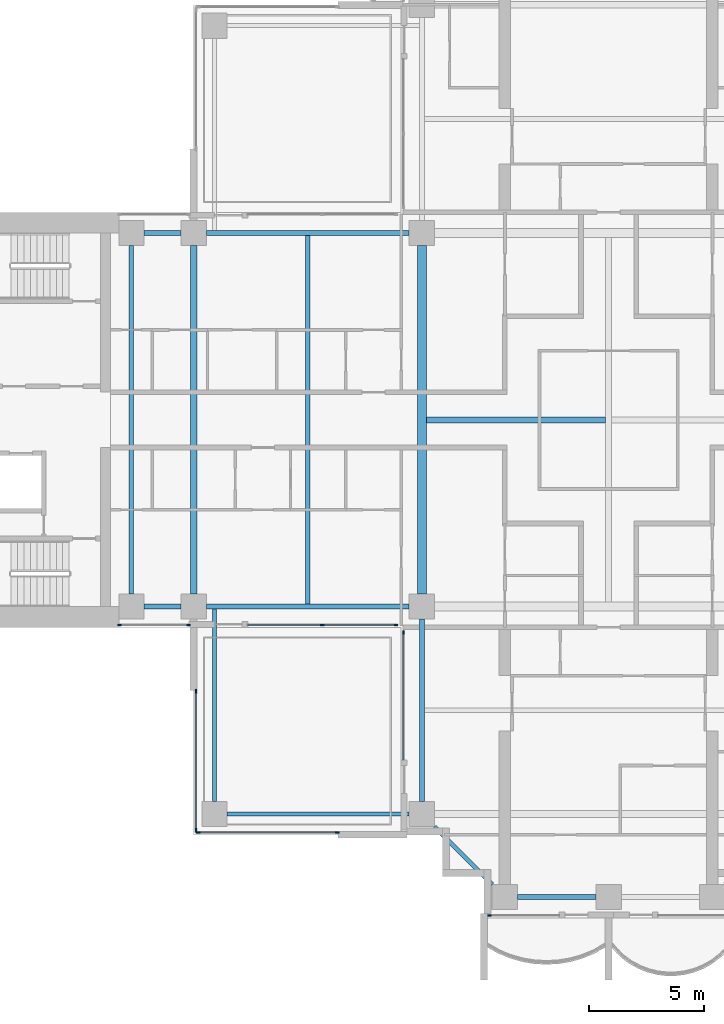
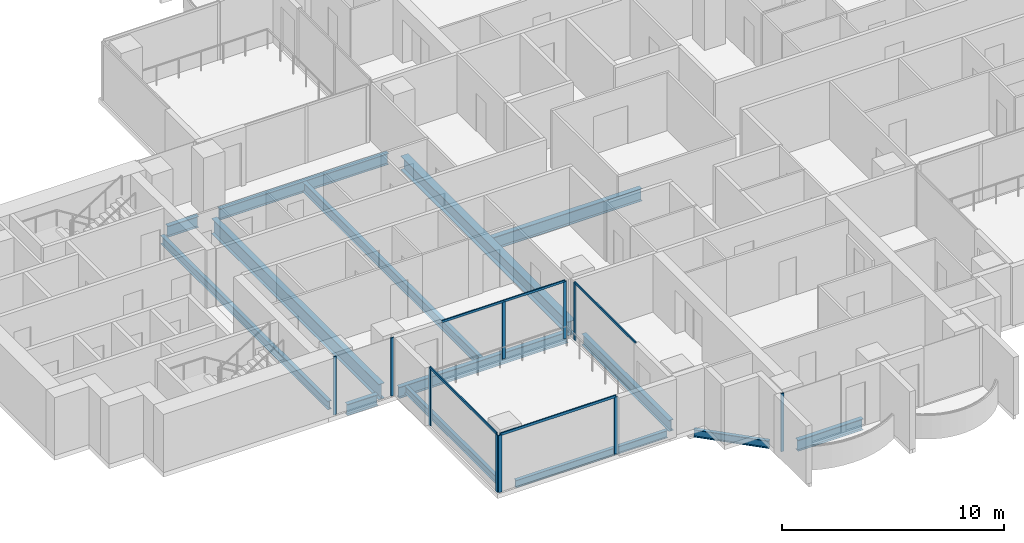
# One storey, part 2 of 19: 14 beams, 14 members, 6 elements without a shape of their own.
"""IFC4 building model written with IfcOpenShell, lengths in metres."""

from ifc_helpers import new_model, si_unit, direction, frame, origin, origin_2d, place, context, subcontext, project, spatial, rectangle, i_section, extrude, material, material_profile, profile_set, type_object, element, aggregate, save


model = new_model("IFC4")

# Units and contexts
model_context = context("Model", 3, precision=1e-05, world=origin(), true_north=direction((0.0, 1.0)))
body_context = subcontext(model_context, "Body", "Model", "MODEL_VIEW")
ifc_project = project(units=[si_unit("LENGTHUNIT", "METRE"), si_unit("AREAUNIT", "SQUARE_METRE"), si_unit("VOLUMEUNIT", "CUBIC_METRE"), si_unit("PLANEANGLEUNIT", "RADIAN"), si_unit("MASSUNIT", "GRAM", prefix="KILO")], contexts=[model_context])

# Site, building, storey
site_placement = place(None, origin())
site = spatial("IfcSite", under=ifc_project, at=site_placement, CompositionType="ELEMENT")
building_placement = place(site_placement, origin())
building = spatial("IfcBuilding", under=site, at=building_placement, Name="Perihelion Cross Residences", CompositionType="ELEMENT")
storey_placement = place(building_placement, frame((0.0, 0.0, 151.39990234375)))
storey = spatial("IfcBuildingStorey", under=building, at=storey_placement, Name="L37", CompositionType="ELEMENT", Elevation=151.39990234375)

# Curtain wall, members
ifc_material_1 = material(Name="Bronze anodised aluminium, tinted glazing", Category="aluminium")
curtain_wall_type_1 = type_object("IfcCurtainWallType", Name="CW1", PredefinedType="NOTDEFINED", material=ifc_material_1)
curtain_wall_1_placement = place(storey_placement, origin())
curtain_wall_1 = element("IfcCurtainWall", 1, at=curtain_wall_1_placement, inside=storey, type_object=curtain_wall_type_1, Name="Curtain wall CW1 L37 west side south bay 1", PredefinedType="NOTDEFINED")
ifc_material_2 = material(Name="Bronze anodised aluminium", Category="aluminium")
ifc_material_profile_1 = material_profile(ifc_material_2, rectangle(XDim=0.06005859375, YDim=0.159912109375, at=origin_2d()), Name="CW1 mullion")
ifc_profile_set_1 = profile_set([ifc_material_profile_1], Name="Bronze anodised aluminium")
member_type_1 = type_object("IfcMemberType", Name="CW1 mullion", PredefinedType="MULLION", material=ifc_profile_set_1)
member_1_placement = place(storey_placement, frame((-21.219970703125, -8.89990234375, 0.0), z_axis=(0.0, 0.0, 1.0), x_axis=(0.0, 1.0, 0.0)))
member_1 = element("IfcMember", 2, at=member_1_placement, type_object=member_type_1, Name="CW1 mullion 1", PredefinedType="MULLION", context=body_context, shape_type="SweptSolid", body=[
    extrude(rectangle(XDim=0.06005859375, YDim=0.159912109375, at=origin_2d()), origin(), (0.0, 0.0, 1.0), 3.2001953125),
])
member_2_placement = place(storey_placement, frame((-18.22998046875, -8.89990234375, 0.0), z_axis=(0.0, 0.0, 1.0), x_axis=(0.0, 1.0, 0.0)))
member_2 = element("IfcMember", 3, at=member_2_placement, type_object=member_type_1, Name="CW1 mullion 2", PredefinedType="MULLION", context=body_context, shape_type="SweptSolid", body=[
    extrude(rectangle(XDim=0.06005859375, YDim=0.159912109375, at=origin_2d()), origin(), (0.0, 0.0, 1.0), 3.2001953125),
])
aggregate(curtain_wall_1, [member_1, member_2])

curtain_wall_2_placement = place(storey_placement, origin())
curtain_wall_2 = element("IfcCurtainWall", 4, at=curtain_wall_2_placement, inside=storey, type_object=curtain_wall_type_1, Name="Curtain wall CW1 L37 west side south bay 2", PredefinedType="NOTDEFINED")
member_3_placement = place(storey_placement, frame((-12.425048828125, -8.89990234375, 0.0), z_axis=(0.0, 0.0, 1.0), x_axis=(0.0, 1.0, 0.0)))
member_3 = element("IfcMember", 5, at=member_3_placement, type_object=member_type_1, Name="CW1 mullion 2", PredefinedType="MULLION", context=body_context, shape_type="SweptSolid", body=[
    extrude(rectangle(XDim=0.06005859375, YDim=0.159912109375, at=origin_2d()), origin(), (0.0, 0.0, 1.0), 3.14013671875),
])
member_4_placement = place(storey_placement, frame((-9.22998046875, -8.89990234375, 0.0), z_axis=(0.0, 0.0, 1.0), x_axis=(0.0, 1.0, 0.0)))
member_4 = element("IfcMember", 6, at=member_4_placement, type_object=member_type_1, Name="CW1 mullion 3", PredefinedType="MULLION", context=body_context, shape_type="SweptSolid", body=[
    extrude(rectangle(XDim=0.06005859375, YDim=0.159912109375, at=origin_2d()), origin(), (0.0, 0.0, 1.0), 3.14013671875),
])

# Curtain wall, member
curtain_wall_3_placement = place(storey_placement, origin())
curtain_wall_3 = element("IfcCurtainWall", 7, at=curtain_wall_3_placement, inside=storey, type_object=curtain_wall_type_1, Name="Curtain wall CW1 L37 south side west bay 1", PredefinedType="NOTDEFINED")
member_5_placement = place(storey_placement, frame((-8.89990234375, -9.22998046875, 0.0), z_axis=(0.0, 0.0, 1.0), x_axis=(1.0, 0.0, 0.0)))
member_5 = element("IfcMember", 8, at=member_5_placement, type_object=member_type_1, Name="CW1 mullion 1", PredefinedType="MULLION", context=body_context, shape_type="SweptSolid", body=[
    extrude(rectangle(XDim=0.06005859375, YDim=0.159912109375, at=origin_2d()), origin(), (0.0, 0.0, 1.0), 3.14013671875),
])

curtain_wall_4_placement = place(storey_placement, origin())
curtain_wall_4 = element("IfcCurtainWall", 9, at=curtain_wall_4_placement, inside=storey, type_object=curtain_wall_type_1, Name="Curtain wall CW1 L37 south tip south bay 1", PredefinedType="NOTDEFINED")
member_6_placement = place(storey_placement, frame((-5.169921875, -21.5, 0.0), z_axis=(0.0, 0.0, 1.0), x_axis=(0.0, 1.0, 0.0)))
member_6 = element("IfcMember", 10, at=member_6_placement, type_object=member_type_1, Name="CW1 mullion 1", PredefinedType="MULLION", context=body_context, shape_type="SweptSolid", body=[
    extrude(rectangle(XDim=0.06005859375, YDim=0.159912109375, at=origin_2d()), origin(), (0.0, 0.0, 1.0), 3.2001953125),
])
aggregate(curtain_wall_4, [member_6])

# Member
ifc_material_3 = material(Name="Bronze anodised aluminium", Category="aluminium")
ifc_material_profile_2 = material_profile(ifc_material_3, rectangle(XDim=0.06005859375, YDim=0.1201171875, at=origin_2d()), Name="CW1 transom")
ifc_profile_set_2 = profile_set([ifc_material_profile_2], Name="Bronze anodised aluminium")
member_type_2 = type_object("IfcMemberType", Name="CW1 transom", PredefinedType="USERDEFINED", material=ifc_profile_set_2)
member_7_placement = place(storey_placement, frame((-15.64990234375, -8.89990234375, 3.170166015625), z_axis=(1.0, 0.0, 0.0), x_axis=(0.0, 1.0, 0.0)))
member_7 = element("IfcMember", 11, at=member_7_placement, type_object=member_type_2, Name="CW1 head transom", ObjectType="TRANSOM", PredefinedType="USERDEFINED", context=body_context, shape_type="SweptSolid", body=[
    extrude(rectangle(XDim=0.06005859375, YDim=0.1201171875, at=origin_2d()), origin(), (0.0, 0.0, 1.0), 6.419921875),
])

aggregate(curtain_wall_2, [member_3, member_4, member_7])

member_8_placement = place(storey_placement, frame((-8.89990234375, -9.22998046875, 3.170166015625), z_axis=(0.0, -1.0, 0.0), x_axis=(1.0, 0.0, 0.0)))
member_8 = element("IfcMember", 12, at=member_8_placement, type_object=member_type_2, Name="CW1 head transom", ObjectType="TRANSOM", PredefinedType="USERDEFINED", context=body_context, shape_type="SweptSolid", body=[
    extrude(rectangle(XDim=0.06005859375, YDim=0.1201171875, at=origin_2d()), origin(), (0.0, 0.0, 1.0), 5.52001953125),
])

aggregate(curtain_wall_3, [member_5, member_8])

# Curtain wall, members
ifc_material_4 = material(Name="Bronze anodised aluminium, tinted glazing", Category="aluminium")
curtain_wall_type_2 = type_object("IfcCurtainWallType", Name="CW4", PredefinedType="NOTDEFINED", material=ifc_material_4)
curtain_wall_5_placement = place(storey_placement, origin())
curtain_wall_5 = element("IfcCurtainWall", 13, at=curtain_wall_5_placement, inside=storey, type_object=curtain_wall_type_2, Name="Curtain wall CW4 L37 pocket south-west 1 1", PredefinedType="NOTDEFINED")
ifc_material_5 = material(Name="Bronze anodised aluminium", Category="aluminium")
ifc_material_profile_3 = material_profile(ifc_material_5, rectangle(XDim=0.06005859375, YDim=0.179931640625, at=origin_2d()), Name="CW4 mullion")
ifc_profile_set_3 = profile_set([ifc_material_profile_3], Name="Bronze anodised aluminium")
member_type_3 = type_object("IfcMemberType", Name="CW4 mullion", PredefinedType="MULLION", material=ifc_profile_set_3)
member_9_placement = place(storey_placement, frame((-11.77001953125, -17.89990234375, 0.0), z_axis=(0.0, 0.0, 1.0), x_axis=(0.0, -1.0, 0.0)))
member_9 = element("IfcMember", 14, at=member_9_placement, type_object=member_type_3, Name="CW4 mullion 1", PredefinedType="MULLION", context=body_context, shape_type="SweptSolid", body=[
    extrude(rectangle(XDim=0.06005859375, YDim=0.179931640625, at=origin_2d()), origin(), (0.0, 0.0, 1.0), 3.14013671875),
])
member_10_placement = place(storey_placement, frame((-17.800048828125, -17.89990234375, 0.0), z_axis=(0.0, 0.0, 1.0), x_axis=(0.0, -1.0, 0.0)))
member_10 = element("IfcMember", 15, at=member_10_placement, type_object=member_type_3, Name="CW4 mullion 2", PredefinedType="MULLION", context=body_context, shape_type="SweptSolid", body=[
    extrude(rectangle(XDim=0.06005859375, YDim=0.179931640625, at=origin_2d()), origin(), (0.0, 0.0, 1.0), 3.14013671875),
])

curtain_wall_6_placement = place(storey_placement, origin())
curtain_wall_6 = element("IfcCurtainWall", 16, at=curtain_wall_6_placement, inside=storey, type_object=curtain_wall_type_2, Name="Curtain wall CW4 L37 pocket south-west 1 2", PredefinedType="NOTDEFINED")
member_11_placement = place(storey_placement, frame((-17.89990234375, -17.800048828125, 0.0), z_axis=(0.0, 0.0, 1.0), x_axis=(-1.0, 0.0, 0.0)))
member_11 = element("IfcMember", 17, at=member_11_placement, type_object=member_type_3, Name="CW4 mullion 1", PredefinedType="MULLION", context=body_context, shape_type="SweptSolid", body=[
    extrude(rectangle(XDim=0.06005859375, YDim=0.179931640625, at=origin_2d()), origin(), (0.0, 0.0, 1.0), 3.14013671875),
])
member_12_placement = place(storey_placement, frame((-17.89990234375, -11.77001953125, 0.0), z_axis=(0.0, 0.0, 1.0), x_axis=(-1.0, 0.0, 0.0)))
member_12 = element("IfcMember", 18, at=member_12_placement, type_object=member_type_3, Name="CW4 mullion 2", PredefinedType="MULLION", context=body_context, shape_type="SweptSolid", body=[
    extrude(rectangle(XDim=0.06005859375, YDim=0.179931640625, at=origin_2d()), origin(), (0.0, 0.0, 1.0), 3.14013671875),
])

# Member
ifc_material_6 = material(Name="Bronze anodised aluminium", Category="aluminium")
ifc_material_profile_4 = material_profile(ifc_material_6, rectangle(XDim=0.06005859375, YDim=0.139892578125, at=origin_2d()), Name="CW4 transom")
ifc_profile_set_4 = profile_set([ifc_material_profile_4], Name="Bronze anodised aluminium")
member_type_4 = type_object("IfcMemberType", Name="CW4 transom", PredefinedType="USERDEFINED", material=ifc_profile_set_4)
member_13_placement = place(storey_placement, frame((-11.77001953125, -17.89990234375, 3.170166015625), z_axis=(-1.0, 0.0, 0.0), x_axis=(0.0, -1.0, 0.0)))
member_13 = element("IfcMember", 19, at=member_13_placement, type_object=member_type_4, Name="CW4 head transom", ObjectType="TRANSOM", PredefinedType="USERDEFINED", context=body_context, shape_type="SweptSolid", body=[
    extrude(rectangle(XDim=0.06005859375, YDim=0.139892578125, at=origin_2d()), origin(), (0.0, 0.0, 1.0), 6.030029296875),
])

aggregate(curtain_wall_5, [member_9, member_10, member_13])

member_14_placement = place(storey_placement, frame((-17.89990234375, -17.800048828125, 3.170166015625), z_axis=(0.0, 1.0, 0.0), x_axis=(-1.0, 0.0, 0.0)))
member_14 = element("IfcMember", 20, at=member_14_placement, type_object=member_type_4, Name="CW4 head transom", ObjectType="TRANSOM", PredefinedType="USERDEFINED", context=body_context, shape_type="SweptSolid", body=[
    extrude(rectangle(XDim=0.06005859375, YDim=0.139892578125, at=origin_2d()), origin(), (0.0, 0.0, 1.0), 6.030029296875),
])

aggregate(curtain_wall_6, [member_11, member_12, member_14])

# Beams
ifc_material_7 = material(Name="Steel S355", Category="steel")
ifc_material_profile_5 = material_profile(ifc_material_7, i_section(OverallWidth=0.177978515625, OverallDepth=0.406005859375, WebThickness=0.0078125, FlangeThickness=0.0126953125, at=origin_2d()), Name="W410x60")
ifc_profile_set_5 = profile_set([ifc_material_profile_5], Name="Steel S355")
beam_type_1 = type_object("IfcBeamType", Name="Core edge beam W410x60", PredefinedType="BEAM", material=ifc_profile_set_5)
beam_1_placement = place(storey_placement, frame((-17.10009765625, -8.214599609375, -0.452880859375), z_axis=(0.0, -1.0, 0.0), x_axis=(1.0, 0.0, 0.0)))
element("IfcBeam", 21, at=beam_1_placement, inside=storey, type_object=beam_type_1, Name="Core edge beam TB2 L37 corner no. 1", PredefinedType="BEAM", context=body_context, shape_type="SweptSolid", body=[
    extrude(i_section(OverallWidth=0.177978515625, OverallDepth=0.406005859375, WebThickness=0.0078125, FlangeThickness=0.0126953125, at=origin_2d()), origin(), (0.0, 0.0, 1.0), 8.33544921875),
])
beam_2_placement = place(storey_placement, frame((-8.64990234375, -17.10009765625, -0.452880859375), z_axis=(-1.0, 0.0, 0.0), x_axis=(0.0, -1.0, 0.0)))
element("IfcBeam", 22, at=beam_2_placement, inside=storey, type_object=beam_type_1, Name="Core edge beam TB2 L37 corner no. 2", PredefinedType="BEAM", context=body_context, shape_type="SweptSolid", body=[
    extrude(i_section(OverallWidth=0.177978515625, OverallDepth=0.406005859375, WebThickness=0.0078125, FlangeThickness=0.0126953125, at=origin_2d()), origin(), (0.0, 0.0, 1.0), 7.900146484375),
])
ifc_material_8 = material(Name="Steel S355", Category="steel")
ifc_material_profile_6 = material_profile(ifc_material_8, i_section(OverallWidth=0.194091796875, OverallDepth=0.469970703125, WebThickness=0.0126953125, FlangeThickness=0.0205078125, at=origin_2d()), Name="W460x106")
ifc_profile_set_6 = profile_set([ifc_material_profile_6], Name="Steel S355")
beam_type_2 = type_object("IfcBeamType", Name="Core edge beam W460x106", PredefinedType="BEAM", material=ifc_profile_set_6)
beam_3_placement = place(storey_placement, frame((-20.699951171875, -7.550048828125, -0.48486328125), z_axis=(0.0, 1.0, 0.0), x_axis=(-1.0, 0.0, 0.0)))
element("IfcBeam", 23, at=beam_3_placement, inside=storey, type_object=beam_type_2, Name="Core edge beam TB5 L37 no. 1", PredefinedType="BEAM", context=body_context, shape_type="SweptSolid", body=[
    extrude(i_section(OverallWidth=0.194091796875, OverallDepth=0.469970703125, WebThickness=0.0126953125, FlangeThickness=0.0205078125, at=origin_2d()), origin(), (0.0, 0.0, 1.0), 15.10009765625),
])
ifc_material_9 = material(Name="Steel S355", Category="steel")
ifc_material_profile_7 = material_profile(ifc_material_9, i_section(OverallWidth=0.22900390625, OverallDepth=0.612060546875, WebThickness=0.011962890625, FlangeThickness=0.01953125, at=origin_2d()), Name="W610x125")
ifc_profile_set_7 = profile_set([ifc_material_profile_7], Name="Steel S355")
beam_type_3 = type_object("IfcBeamType", Name="Edge beam W610x125", PredefinedType="SPANDREL", material=ifc_profile_set_7)
beam_4_placement = place(storey_placement, frame((-8.64990234375, 8.10009765625, -0.555908203125), z_axis=(-1.0, 0.0, 0.0), x_axis=(0.0, -1.0, 0.0)))
element("IfcBeam", 24, at=beam_4_placement, inside=storey, type_object=beam_type_3, Name="Edge beam SB3 L37 no. 8", PredefinedType="SPANDREL", context=body_context, shape_type="SweptSolid", body=[
    extrude(i_section(OverallWidth=0.22900390625, OverallDepth=0.612060546875, WebThickness=0.011962890625, FlangeThickness=0.01953125, at=origin_2d()), origin(), (0.0, 0.0, 1.0), 8.800048828125),
])
for number, where, z_axis, x_axis, name in (
    (25, (-18.550048828125, 8.10009765625, -0.555908203125), (-1.0, 0.0, 0.0), (0.0, -1.0, 0.0), "Edge beam SB3 L37 no. 2"),
    (26, (-20.14990234375, -8.10009765625, -0.555908203125), (1.0, 0.0, 0.0), (0.0, 1.0, 0.0), "Edge beam SB3 L37 no. 3"),
):
    element("IfcBeam", number, at=place(storey_placement, frame(where, z_axis=z_axis, x_axis=x_axis)), inside=storey, type_object=beam_type_3, Name=name, PredefinedType="SPANDREL", context=body_context, shape_type="SweptSolid", body=[
        extrude(i_section(OverallWidth=0.22900390625, OverallDepth=0.612060546875, WebThickness=0.011962890625, FlangeThickness=0.01953125, at=origin_2d()), origin(), (0.0, 0.0, 1.0), 1.599853515625),
    ])
beam_5_placement = place(storey_placement, frame((-17.449951171875, -8.10009765625, -0.555908203125), z_axis=(1.0, 0.0, 0.0), x_axis=(0.0, 1.0, 0.0)))
element("IfcBeam", 27, at=beam_5_placement, inside=storey, type_object=beam_type_3, Name="Edge beam SB3 L37 no. 1", PredefinedType="SPANDREL", context=body_context, shape_type="SweptSolid", body=[
    extrude(i_section(OverallWidth=0.22900390625, OverallDepth=0.612060546875, WebThickness=0.011962890625, FlangeThickness=0.01953125, at=origin_2d()), origin(), (0.0, 0.0, 1.0), 8.800048828125),
])
beam_6_placement = place(storey_placement, frame((-8.10009765625, -8.64990234375, -0.555908203125), z_axis=(0.0, -1.0, 0.0), x_axis=(1.0, 0.0, 0.0)))
element("IfcBeam", 28, at=beam_6_placement, inside=storey, type_object=beam_type_3, Name="Edge beam SB3 L37 no. 5", PredefinedType="SPANDREL", context=body_context, shape_type="SweptSolid", body=[
    extrude(i_section(OverallWidth=0.22900390625, OverallDepth=0.612060546875, WebThickness=0.011962890625, FlangeThickness=0.01953125, at=origin_2d()), origin(), (0.0, 0.0, 1.0), 7.900146484375),
])
beam_7_placement = place(storey_placement, frame((-3.949951171875, -20.699951171875, -0.555908203125), z_axis=(1.0, 0.0, 0.0), x_axis=(0.0, 1.0, 0.0)))
element("IfcBeam", 29, at=beam_7_placement, inside=storey, type_object=beam_type_3, Name="Edge beam SB3 L37 no. 4", PredefinedType="SPANDREL", context=body_context, shape_type="SweptSolid", body=[
    extrude(i_section(OverallWidth=0.22900390625, OverallDepth=0.612060546875, WebThickness=0.011962890625, FlangeThickness=0.01953125, at=origin_2d()), origin(), (0.0, 0.0, 1.0), 3.39990234375),
])
ifc_material_10 = material(Name="Steel S355", Category="steel")
ifc_material_profile_8 = material_profile(ifc_material_10, i_section(OverallWidth=0.2919921875, OverallDepth=0.8359375, WebThickness=0.013916015625, FlangeThickness=0.018798828125, at=origin_2d()), Name="W840x176")
ifc_profile_set_8 = profile_set([ifc_material_profile_8], Name="Steel S355")
beam_type_4 = type_object("IfcBeamType", Name="Floor girder W840x176", PredefinedType="BEAM", material=ifc_profile_set_8)
beam_8_placement = place(storey_placement, frame((-18.0, -7.550048828125, -0.66796875), z_axis=(0.0, 1.0, 0.0), x_axis=(-1.0, 0.0, 0.0)))
element("IfcBeam", 30, at=beam_8_placement, inside=storey, type_object=beam_type_4, Name="Girder G3 L37 no. 1", PredefinedType="BEAM", context=body_context, shape_type="SweptSolid", body=[
    extrude(i_section(OverallWidth=0.2919921875, OverallDepth=0.8359375, WebThickness=0.013916015625, FlangeThickness=0.018798828125, at=origin_2d()), origin(), (0.0, 0.0, 1.0), 15.10009765625),
])
ifc_material_11 = material(Name="Steel S355", Category="steel")
ifc_material_profile_9 = material_profile(ifc_material_11, i_section(OverallWidth=0.208984375, OverallDepth=0.532958984375, WebThickness=0.01025390625, FlangeThickness=0.015625, at=origin_2d()), Name="W530x92")
ifc_profile_set_9 = profile_set([ifc_material_profile_9], Name="Steel S355")
beam_type_5 = type_object("IfcBeamType", Name="Floor joist W530x92", PredefinedType="JOIST", material=ifc_profile_set_9)
beam_9_placement = place(storey_placement, frame((-13.050048828125, -7.985595703125, -0.516357421875), z_axis=(0.0, 1.0, 0.0), x_axis=(-1.0, 0.0, 0.0)))
element("IfcBeam", 31, at=beam_9_placement, inside=storey, type_object=beam_type_5, Name="Joist J4 L37 no. 1", PredefinedType="JOIST", context=body_context, shape_type="SweptSolid", body=[
    extrude(i_section(OverallWidth=0.208984375, OverallDepth=0.532958984375, WebThickness=0.01025390625, FlangeThickness=0.015625, at=origin_2d()), origin(), (0.0, 0.0, 1.0), 15.97119140625),
])
ifc_material_12 = material(Name="Steel S355", Category="steel")
ifc_material_profile_10 = material_profile(ifc_material_12, i_section(OverallWidth=0.257080078125, OverallDepth=0.693115234375, WebThickness=0.014404296875, FlangeThickness=0.023681640625, at=origin_2d()), Name="W690x170")
ifc_profile_set_10 = profile_set([ifc_material_profile_10], Name="Steel S355")
beam_type_6 = type_object("IfcBeamType", Name="Hub cross beam W690x170", PredefinedType="BEAM", material=ifc_profile_set_10)
beam_10_placement = place(storey_placement, frame((-7.909423828125, 0.0, -0.596435546875), z_axis=(1.0, 0.0, 0.0), x_axis=(0.0, 1.0, 0.0)))
element("IfcBeam", 32, at=beam_10_placement, inside=storey, type_object=beam_type_6, Name="Hub cross beam XB3 L37 1 no. 1", PredefinedType="BEAM", context=body_context, shape_type="SweptSolid", body=[
    extrude(i_section(OverallWidth=0.257080078125, OverallDepth=0.693115234375, WebThickness=0.014404296875, FlangeThickness=0.023681640625, at=origin_2d()), origin(), (0.0, 0.0, 1.0), 7.781005859375),
])
ifc_material_13 = material(Name="Steel S355", Category="steel")
ifc_material_profile_11 = material_profile(ifc_material_13, i_section(OverallWidth=0.381103515625, OverallDepth=0.77197265625, WebThickness=0.0166015625, FlangeThickness=0.027099609375, at=origin_2d()), Name="W760x257")
ifc_profile_set_11 = profile_set([ifc_material_profile_11], Name="Steel S355")
beam_type_7 = type_object("IfcBeamType", Name="Hub ring girder W760x257", PredefinedType="BEAM", material=ifc_profile_set_11)
beam_11_placement = place(storey_placement, frame((-8.10009765625, 7.550048828125, -0.635986328125), z_axis=(0.0, -1.0, 0.0), x_axis=(1.0, 0.0, 0.0)))
element("IfcBeam", 33, at=beam_11_placement, inside=storey, type_object=beam_type_7, Name="Hub ring girder RG3 L37 no. 2", PredefinedType="BEAM", context=body_context, shape_type="SweptSolid", body=[
    extrude(i_section(OverallWidth=0.381103515625, OverallDepth=0.77197265625, WebThickness=0.0166015625, FlangeThickness=0.027099609375, at=origin_2d()), origin(), (0.0, 0.0, 1.0), 15.10009765625),
])
ifc_material_14 = material(Name="Steel S355", Category="steel")
ifc_material_profile_12 = material_profile(ifc_material_14, i_section(OverallWidth=0.180908203125, OverallDepth=0.4169921875, WebThickness=0.010986328125, FlangeThickness=0.018310546875, at=origin_2d()), Name="W410x85")
ifc_profile_set_12 = profile_set([ifc_material_profile_12], Name="Steel S355")
beam_type_8 = type_object("IfcBeamType", Name="Serration edge beam W410x85", PredefinedType="BEAM", material=ifc_profile_set_12)
beam_12_placement = place(storey_placement, frame((-7.550048828125, -17.64990234375, -0.45849609375), z_axis=(0.707106781187, -0.707106781187, 0.0), x_axis=(0.707106781187, 0.707106781187, 0.0)))
element("IfcBeam", 34, at=beam_12_placement, inside=storey, type_object=beam_type_8, Name="Serration edge beam EB3 L37 no. 2", PredefinedType="BEAM", context=body_context, shape_type="SweptSolid", body=[
    extrude(i_section(OverallWidth=0.180908203125, OverallDepth=0.4169921875, WebThickness=0.010986328125, FlangeThickness=0.018310546875, at=origin_2d()), origin(), (0.0, 0.0, 1.0), 3.53564453125),
])

save(model, "model.ifc")
